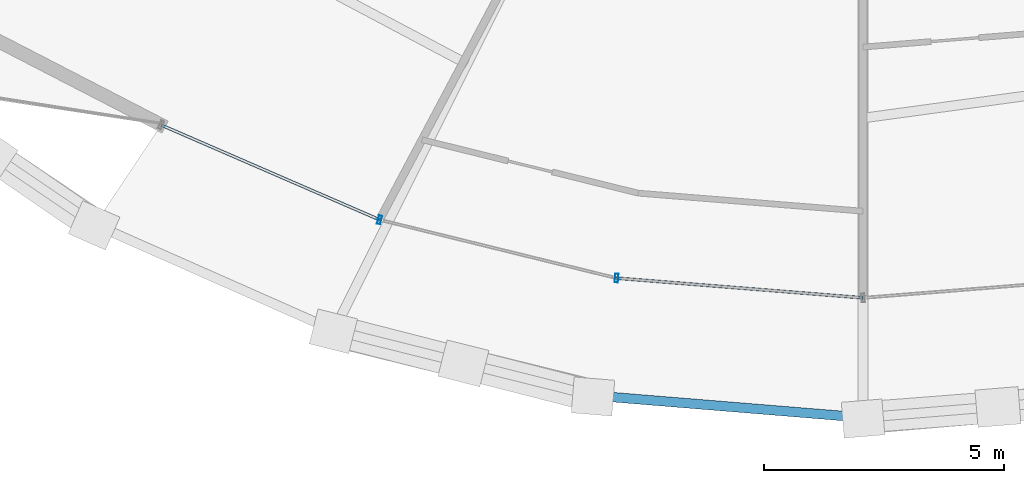
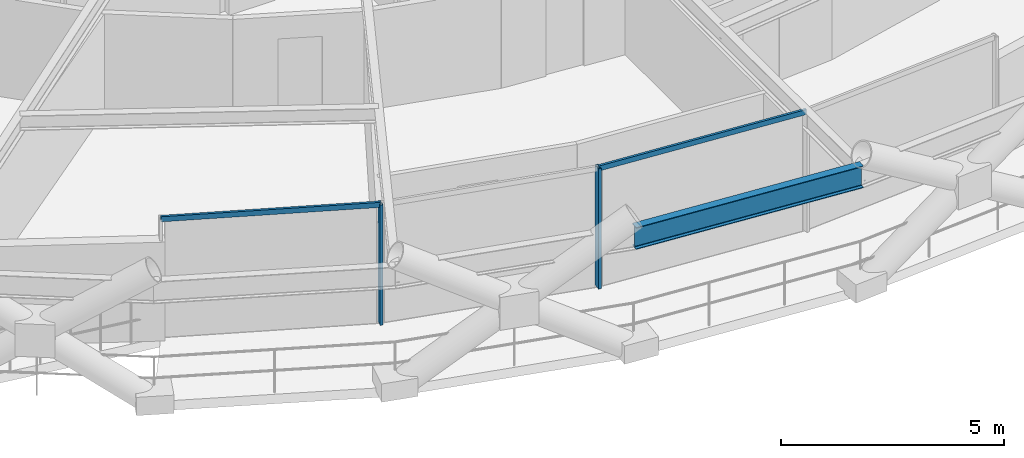
# One storey, part 3 of 23: 4 members, 1 beam, 1 element without a shape of its own.
"""IFC4 building model written with IfcOpenShell, lengths in metres."""

from ifc_helpers import new_model, si_unit, direction, frame, origin, origin_2d, place, context, subcontext, project, spatial, hollow_rectangle, i_section, extrude, material, layer, layer_set, material_profile, profile_set, type_object, element, aggregate, save


model = new_model("IFC4")

# Units and contexts
model_context = context("Model", 3, precision=1e-05, world=origin(), true_north=direction((0.0, 1.0)))
body_context = subcontext(model_context, "Body", "Model", "MODEL_VIEW")
ifc_project = project(units=[si_unit("LENGTHUNIT", "METRE"), si_unit("AREAUNIT", "SQUARE_METRE"), si_unit("VOLUMEUNIT", "CUBIC_METRE"), si_unit("PLANEANGLEUNIT", "RADIAN"), si_unit("MASSUNIT", "GRAM", prefix="KILO")], contexts=[model_context])

# Site, building, storey
site_placement = place(None, origin())
site = spatial("IfcSite", under=ifc_project, at=site_placement, CompositionType="ELEMENT")
building_placement = place(site_placement, origin())
building = spatial("IfcBuilding", under=site, at=building_placement, Name="Veldorina Hangang Commons", CompositionType="ELEMENT")
storey_placement = place(building_placement, frame((0.0, 0.0, 95.199951171875)))
storey = spatial("IfcBuildingStorey", under=building, at=storey_placement, Name="L24", CompositionType="ELEMENT", Elevation=95.199951171875)

# Beam
ifc_material_1 = material(Name="Steel SM420-TMC", Category="steel")
ifc_material_profile_1 = material_profile(ifc_material_1, i_section(OverallWidth=0.199951171875, OverallDepth=0.60009765625, WebThickness=0.010986328125, FlangeThickness=0.01708984375, FilletRadius=0.01806640625, at=origin_2d()), Name="H-600x200x11x17")
ifc_profile_set_1 = profile_set([ifc_material_profile_1], Name="Steel SM420-TMC")
beam_type = type_object("IfcBeamType", Name="BM-RB600", PredefinedType="BEAM", material=ifc_profile_set_1)
beam_placement = place(storey_placement, frame((26.36962890625, 0.55712890625, 3.0400390625), z_axis=(0.996690263747, -0.081292792737, 0.0), x_axis=(0.081292792737, 0.996690263747, 0.0)))
element("IfcBeam", 1, at=beam_placement, inside=storey, type_object=beam_type, Name="L24 perimeter hoop ring beam 23", PredefinedType="BEAM", context=body_context, shape_type="SweptSolid", body=[
    extrude(i_section(OverallWidth=0.199951171875, OverallDepth=0.60009765625, WebThickness=0.010986328125, FlangeThickness=0.01708984375, FilletRadius=0.01806640625, at=origin_2d()), origin(), (0.0, 0.0, 1.0), 5.649169921875),
])

# Curtain wall, members
ifc_material_2 = material(Name="Glass Low-E Triple IGU", Category="glass")
ifc_layer = layer(ifc_material_2, 0.179931640625)
ifc_layer_set = layer_set([ifc_layer], Name="Glass Low-E Triple IGU")
curtain_wall_type = type_object("IfcCurtainWallType", Name="CW-SYS-Z1", PredefinedType="NOTDEFINED", material=ifc_layer_set)
curtain_wall_placement = place(storey_placement, origin())
curtain_wall = element("IfcCurtainWall", 2, at=curtain_wall_placement, inside=storey, type_object=curtain_wall_type, Name="L24 unitised curtain wall CW-L24-R1", PredefinedType="NOTDEFINED")
ifc_material_3 = material(Name="Aluminium Anodized AA6063-T6", Category="aluminium")
ifc_material_profile_2 = material_profile(ifc_material_3, hollow_rectangle(XDim=0.070068359375, YDim=0.179931640625, WallThickness=0.00390625, at=origin_2d()), Name="ALU-RHS-180x70x4")
ifc_profile_set_2 = profile_set([ifc_material_profile_2], Name="Aluminium Anodized AA6063-T6")
member_type_1 = type_object("IfcMemberType", Name="CW-MUL-180", PredefinedType="MULLION", material=ifc_profile_set_2)
member_1_placement = place(storey_placement, frame((21.908935546875, 4.226806640625, 0.0), z_axis=(0.0, 0.0, 1.0), x_axis=(0.970996733432, -0.239092751175, 0.0)))
member_1 = element("IfcMember", 3, at=member_1_placement, type_object=member_type_1, Name="CW-L24-R1 vertical mullion 2", PredefinedType="MULLION", context=body_context, shape_type="SweptSolid", body=[
    extrude(hollow_rectangle(XDim=0.070068359375, YDim=0.179931640625, WallThickness=0.00390625, at=origin_2d()), origin(), (0.0, 0.0, 1.0), 3.300048828125),
])
member_2_placement = place(storey_placement, frame((26.855712890625, 3.0087890625, 0.0), z_axis=(0.0, 0.0, 1.0), x_axis=(0.996820733877, -0.079677001159, 0.0)))
member_2 = element("IfcMember", 4, at=member_2_placement, type_object=member_type_1, Name="CW-L24-R1 vertical mullion 3", PredefinedType="MULLION", context=body_context, shape_type="SweptSolid", body=[
    extrude(hollow_rectangle(XDim=0.070068359375, YDim=0.179931640625, WallThickness=0.00390625, at=origin_2d()), origin(), (0.0, 0.0, 1.0), 3.300048828125),
])
ifc_material_profile_3 = material_profile(ifc_material_3, hollow_rectangle(XDim=0.06005859375, YDim=0.139892578125, WallThickness=0.00341796875, at=origin_2d()), Name="ALU-RHS-140x60x3.5")
ifc_profile_set_3 = profile_set([ifc_material_profile_3], Name="Aluminium Anodized AA6063-T6")
member_type_2 = type_object("IfcMemberType", Name="CW-TRN-140", PredefinedType="USERDEFINED", material=ifc_profile_set_3)
member_3_placement = place(storey_placement, frame((17.35009765625, 6.20458984375, 3.260009765625), z_axis=(0.917387658955, -0.397994828104, 0.0), x_axis=(0.397994828104, 0.917387658955, 0.0)))
member_3 = element("IfcMember", 5, at=member_3_placement, type_object=member_type_2, Name="CW-L24-R1 facet 1 transom 1", ObjectType="TRANSOM", PredefinedType="USERDEFINED", context=body_context, shape_type="SweptSolid", body=[
    extrude(hollow_rectangle(XDim=0.06005859375, YDim=0.139892578125, WallThickness=0.00341796875, at=origin_2d()), origin(), (0.0, 0.0, 1.0), 4.969482421875),
])
member_4_placement = place(storey_placement, frame((26.855712890625, 3.0087890625, 3.260009765625), z_axis=(0.996821593136, -0.079666250431, 0.0), x_axis=(0.079666250431, 0.996821593136, 0.0)))
member_4 = element("IfcMember", 6, at=member_4_placement, type_object=member_type_2, Name="CW-L24-R1 facet 3 transom 1", ObjectType="TRANSOM", PredefinedType="USERDEFINED", context=body_context, shape_type="SweptSolid", body=[
    extrude(hollow_rectangle(XDim=0.06005859375, YDim=0.139892578125, WallThickness=0.00341796875, at=origin_2d()), origin(), (0.0, 0.0, 1.0), 5.16064453125),
])
aggregate(curtain_wall, [member_1, member_2, member_3, member_4])

save(model, "model.ifc")
